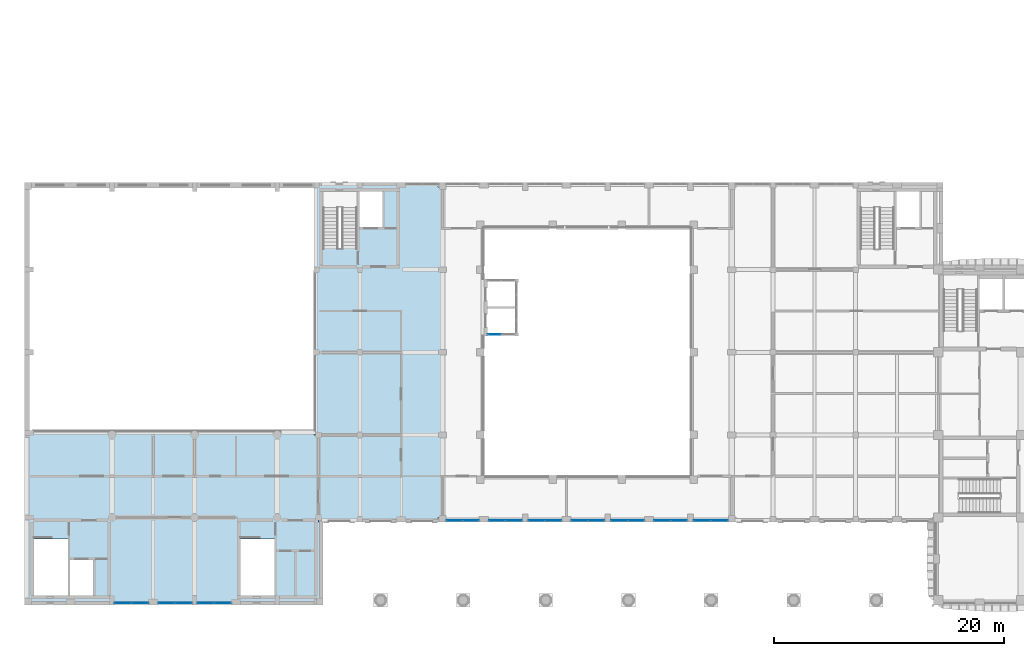
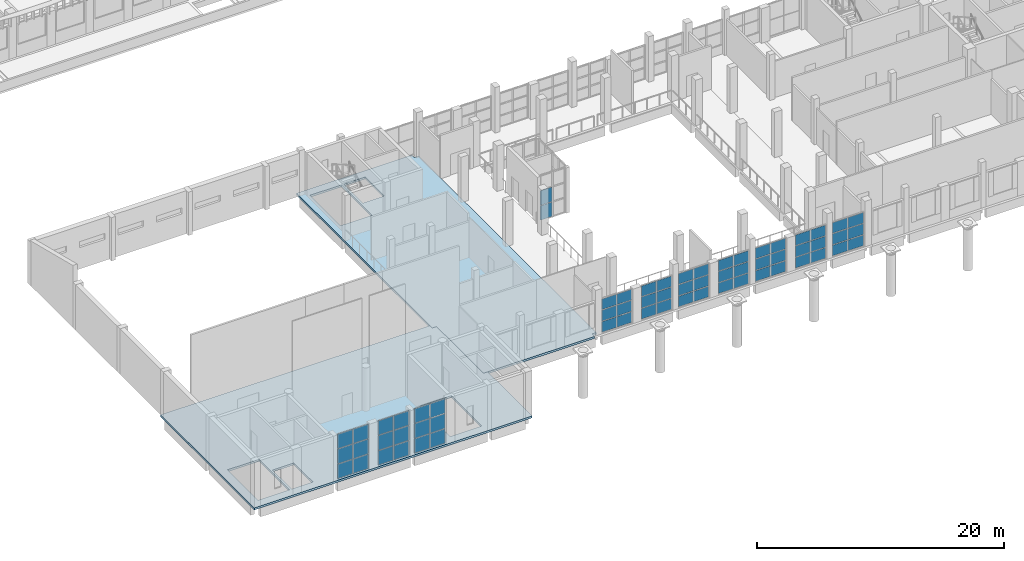
# One storey, part 14 of 59: 62 plates, 2 slabs, 11 elements without a shape of their own.
"""IFC4 building model written with IfcOpenShell, lengths in metres."""

from ifc_helpers import new_model, si_unit, direction, frame, origin, origin_2d, place, context, subcontext, project, spatial, polyline, rectangle, outline, extrude, material, layer, layer_set, type_object, element, aggregate, save


model = new_model("IFC4")

# Units and contexts
model_context = context("Model", 3, precision=1e-05, world=origin(), true_north=direction((0.0, 1.0)))
body_context = subcontext(model_context, "Body", "Model", "MODEL_VIEW")
ifc_project = project(units=[si_unit("LENGTHUNIT", "METRE"), si_unit("AREAUNIT", "SQUARE_METRE"), si_unit("VOLUMEUNIT", "CUBIC_METRE"), si_unit("PLANEANGLEUNIT", "RADIAN"), si_unit("MASSUNIT", "GRAM", prefix="KILO")], contexts=[model_context])

# Site, building, storey
site_placement = place(None, origin())
site = spatial("IfcSite", under=ifc_project, at=site_placement, CompositionType="ELEMENT")
building_placement = place(site_placement, origin())
building = spatial("IfcBuilding", under=site, at=building_placement, Name="Ussher Court Research Institute", CompositionType="ELEMENT")
storey_placement = place(building_placement, frame((0.0, 0.0, 5.39990234375)))
storey = spatial("IfcBuildingStorey", under=building, at=storey_placement, Name="L01", CompositionType="ELEMENT", Elevation=5.39990234375)

# Slabs
ifc_material_1 = material(Name="Concrete C35/45", Category="concrete")
ifc_layer_1 = layer(ifc_material_1, 0.199951171875)
ifc_layer_set_1 = layer_set([ifc_layer_1], Name="Concrete C35/45")
slab_type = type_object("IfcSlabType", Name="Floor slab 200", PredefinedType="FLOOR", material=ifc_layer_set_1)
slab_1_placement = place(storey_placement, frame((0.0, 0.0, -0.199951171875)))
element("IfcSlab", 1, at=slab_1_placement, inside=storey, type_object=slab_type, Name="FS200 V7 L01-02", PredefinedType="FLOOR", context=body_context, shape_type="SweptSolid", body=[
    extrude(outline(polyline([(38.60009765625, 40.0), (38.60009765625, 40.39990234375), (27.800048828125, 40.39990234375), (27.800048828125, 18.39990234375), (28.199951171875, 18.39990234375), (28.199951171875, 10.800048828125), (38.60009765625, 10.800048828125), (38.60009765625, 11.199951171875), (39.0, 11.199951171875), (39.0, 40.0), (38.60009765625, 40.0)]), holes=[polyline([(28.60009765625, 39.60009765625), (31.550048828125, 39.60009765625), (31.550048828125, 34.64990234375), (28.60009765625, 34.64990234375), (28.60009765625, 39.60009765625)]), polyline([(31.75, 36.5), (31.75, 39.60009765625), (33.75, 39.60009765625), (33.75, 36.5), (31.75, 36.5)])]), origin(), (0.0, 0.0, 1.0), 0.199951171875),
])
slab_2_placement = place(storey_placement, frame((0.0, 0.0, -0.199951171875)))
element("IfcSlab", 2, at=slab_2_placement, inside=storey, type_object=slab_type, Name="FS200 V1 L01-01", PredefinedType="FLOOR", context=body_context, shape_type="SweptSolid", body=[
    extrude(outline(polyline([(27.800048828125, 18.800048828125), (2.60009765625, 18.800048828125), (2.60009765625, 3.60009765625), (28.60009765625, 3.60009765625), (28.60009765625, 10.800048828125), (28.199951171875, 10.800048828125), (28.199951171875, 18.39990234375), (27.800048828125, 18.39990234375), (27.800048828125, 18.800048828125)]), holes=[polyline([(8.550048828125, 4.39990234375), (6.550048828125, 4.39990234375), (6.550048828125, 7.5), (8.550048828125, 7.5), (8.550048828125, 4.39990234375)]), polyline([(6.35009765625, 9.35009765625), (6.35009765625, 4.39990234375), (3.39990234375, 4.39990234375), (3.39990234375, 9.35009765625), (6.35009765625, 9.35009765625)]), polyline([(24.35009765625, 9.35009765625), (24.35009765625, 4.39990234375), (21.39990234375, 4.39990234375), (21.39990234375, 9.35009765625), (24.35009765625, 9.35009765625)])]), origin(), (0.0, 0.0, 1.0), 0.199951171875),
])

# Curtain wall, plates
ifc_material_2 = material(Name="Bronze anodised aluminium with low-e glass", Category="aluminium")
ifc_layer_2 = layer(ifc_material_2, 0.1201171875)
ifc_layer_set_2 = layer_set([ifc_layer_2], Name="Bronze anodised aluminium with low-e glass")
curtain_wall_type_1 = type_object("IfcCurtainWallType", Name="Curtain wall atrium clear glazing", PredefinedType="NOTDEFINED", material=ifc_layer_set_2)
curtain_wall_1_placement = place(storey_placement, origin())
curtain_wall_1 = element("IfcCurtainWall", 3, at=curtain_wall_1_placement, inside=storey, type_object=curtain_wall_type_1, Name="Curtain wall CW2 L01", PredefinedType="NOTDEFINED")
ifc_material_3 = material(Name="Double glazed unit")
ifc_layer_3 = layer(ifc_material_3, 0.028076171875)
ifc_layer_set_3 = layer_set([ifc_layer_3], Name="Double glazed unit")
plate_type_1 = type_object("IfcPlateType", Name="Glazing panel 28 mm", PredefinedType="CURTAIN_PANEL", material=ifc_layer_set_3)
plate_1_placement = place(storey_placement, frame((63.12255859375, 10.949951171875, 0.06005859375), z_axis=(0.0, 0.0, 1.0), x_axis=(-1.0, 0.0, 0.0)))
plate_1 = element("IfcPlate", 4, at=plate_1_placement, type_object=plate_type_1, Name="CW2 panel 1.1", PredefinedType="CURTAIN_PANEL", context=body_context, shape_type="SweptSolid", body=[
    extrude(rectangle(XDim=1.43505859375, YDim=0.028076171875, at=origin_2d()), origin(), (0.0, 0.0, 1.0), 1.043212890625),
])
plate_2_placement = place(storey_placement, frame((63.12255859375, 10.949951171875, 1.16357421875), z_axis=(0.0, 0.0, 1.0), x_axis=(-1.0, 0.0, 0.0)))
plate_2 = element("IfcPlate", 5, at=plate_2_placement, type_object=plate_type_1, Name="CW2 panel 1.2", PredefinedType="CURTAIN_PANEL", context=body_context, shape_type="SweptSolid", body=[
    extrude(rectangle(XDim=1.43505859375, YDim=0.028076171875, at=origin_2d()), origin(), (0.0, 0.0, 1.0), 1.073486328125),
])
plate_3_placement = place(storey_placement, frame((63.12255859375, 10.949951171875, 2.296875), z_axis=(0.0, 0.0, 1.0), x_axis=(-1.0, 0.0, 0.0)))
plate_3 = element("IfcPlate", 6, at=plate_3_placement, type_object=plate_type_1, Name="CW2 panel 1.3", PredefinedType="CURTAIN_PANEL", context=body_context, shape_type="SweptSolid", body=[
    extrude(rectangle(XDim=1.43505859375, YDim=0.028076171875, at=origin_2d()), origin(), (0.0, 0.0, 1.0), 1.043212890625),
])
plate_4_placement = place(storey_placement, frame((61.62744140625, 10.949951171875, 0.06005859375), z_axis=(0.0, 0.0, 1.0), x_axis=(-1.0, 0.0, 0.0)))
plate_4 = element("IfcPlate", 7, at=plate_4_placement, type_object=plate_type_1, Name="CW2 panel 2.1", PredefinedType="CURTAIN_PANEL", context=body_context, shape_type="SweptSolid", body=[
    extrude(rectangle(XDim=1.43505859375, YDim=0.028076171875, at=origin_2d()), origin(), (0.0, 0.0, 1.0), 1.043212890625),
])
plate_5_placement = place(storey_placement, frame((61.62744140625, 10.949951171875, 1.16357421875), z_axis=(0.0, 0.0, 1.0), x_axis=(-1.0, 0.0, 0.0)))
plate_5 = element("IfcPlate", 8, at=plate_5_placement, type_object=plate_type_1, Name="CW2 panel 2.2", PredefinedType="CURTAIN_PANEL", context=body_context, shape_type="SweptSolid", body=[
    extrude(rectangle(XDim=1.43505859375, YDim=0.028076171875, at=origin_2d()), origin(), (0.0, 0.0, 1.0), 1.073486328125),
])
plate_6_placement = place(storey_placement, frame((61.62744140625, 10.949951171875, 2.296875), z_axis=(0.0, 0.0, 1.0), x_axis=(-1.0, 0.0, 0.0)))
plate_6 = element("IfcPlate", 9, at=plate_6_placement, type_object=plate_type_1, Name="CW2 panel 2.3", PredefinedType="CURTAIN_PANEL", context=body_context, shape_type="SweptSolid", body=[
    extrude(rectangle(XDim=1.43505859375, YDim=0.028076171875, at=origin_2d()), origin(), (0.0, 0.0, 1.0), 1.043212890625),
])
aggregate(curtain_wall_1, [plate_1, plate_2, plate_3, plate_4, plate_5, plate_6])

curtain_wall_2_placement = place(storey_placement, origin())
curtain_wall_2 = element("IfcCurtainWall", 10, at=curtain_wall_2_placement, inside=storey, type_object=curtain_wall_type_1, Name="Curtain wall CW2 L01", PredefinedType="NOTDEFINED")
plate_7_placement = place(storey_placement, frame((59.597412109375, 10.949951171875, 0.06005859375), z_axis=(0.0, 0.0, 1.0), x_axis=(-1.0, 0.0, 0.0)))
plate_7 = element("IfcPlate", 11, at=plate_7_placement, type_object=plate_type_1, Name="CW2 panel 1.1", PredefinedType="CURTAIN_PANEL", context=body_context, shape_type="SweptSolid", body=[
    extrude(rectangle(XDim=1.385009765625, YDim=0.028076171875, at=origin_2d()), origin(), (0.0, 0.0, 1.0), 1.043212890625),
])
plate_8_placement = place(storey_placement, frame((59.597412109375, 10.949951171875, 1.16357421875), z_axis=(0.0, 0.0, 1.0), x_axis=(-1.0, 0.0, 0.0)))
plate_8 = element("IfcPlate", 12, at=plate_8_placement, type_object=plate_type_1, Name="CW2 panel 1.2", PredefinedType="CURTAIN_PANEL", context=body_context, shape_type="SweptSolid", body=[
    extrude(rectangle(XDim=1.385009765625, YDim=0.028076171875, at=origin_2d()), origin(), (0.0, 0.0, 1.0), 1.073486328125),
])
plate_9_placement = place(storey_placement, frame((59.597412109375, 10.949951171875, 2.296875), z_axis=(0.0, 0.0, 1.0), x_axis=(-1.0, 0.0, 0.0)))
plate_9 = element("IfcPlate", 13, at=plate_9_placement, type_object=plate_type_1, Name="CW2 panel 1.3", PredefinedType="CURTAIN_PANEL", context=body_context, shape_type="SweptSolid", body=[
    extrude(rectangle(XDim=1.385009765625, YDim=0.028076171875, at=origin_2d()), origin(), (0.0, 0.0, 1.0), 1.043212890625),
])
plate_10_placement = place(storey_placement, frame((58.152587890625, 10.949951171875, 0.06005859375), z_axis=(0.0, 0.0, 1.0), x_axis=(-1.0, 0.0, 0.0)))
plate_10 = element("IfcPlate", 14, at=plate_10_placement, type_object=plate_type_1, Name="CW2 panel 2.1", PredefinedType="CURTAIN_PANEL", context=body_context, shape_type="SweptSolid", body=[
    extrude(rectangle(XDim=1.385009765625, YDim=0.028076171875, at=origin_2d()), origin(), (0.0, 0.0, 1.0), 1.043212890625),
])
plate_11_placement = place(storey_placement, frame((58.152587890625, 10.949951171875, 1.16357421875), z_axis=(0.0, 0.0, 1.0), x_axis=(-1.0, 0.0, 0.0)))
plate_11 = element("IfcPlate", 15, at=plate_11_placement, type_object=plate_type_1, Name="CW2 panel 2.2", PredefinedType="CURTAIN_PANEL", context=body_context, shape_type="SweptSolid", body=[
    extrude(rectangle(XDim=1.385009765625, YDim=0.028076171875, at=origin_2d()), origin(), (0.0, 0.0, 1.0), 1.073486328125),
])
plate_12_placement = place(storey_placement, frame((58.152587890625, 10.949951171875, 2.296875), z_axis=(0.0, 0.0, 1.0), x_axis=(-1.0, 0.0, 0.0)))
plate_12 = element("IfcPlate", 16, at=plate_12_placement, type_object=plate_type_1, Name="CW2 panel 2.3", PredefinedType="CURTAIN_PANEL", context=body_context, shape_type="SweptSolid", body=[
    extrude(rectangle(XDim=1.385009765625, YDim=0.028076171875, at=origin_2d()), origin(), (0.0, 0.0, 1.0), 1.043212890625),
])
aggregate(curtain_wall_2, [plate_7, plate_8, plate_9, plate_10, plate_11, plate_12])

curtain_wall_3_placement = place(storey_placement, origin())
curtain_wall_3 = element("IfcCurtainWall", 17, at=curtain_wall_3_placement, inside=storey, type_object=curtain_wall_type_1, Name="Curtain wall CW2 L01", PredefinedType="NOTDEFINED")
plate_13_placement = place(storey_placement, frame((55.847412109375, 10.949951171875, 0.06005859375), z_axis=(0.0, 0.0, 1.0), x_axis=(-1.0, 0.0, 0.0)))
plate_13 = element("IfcPlate", 18, at=plate_13_placement, type_object=plate_type_1, Name="CW2 panel 1.1", PredefinedType="CURTAIN_PANEL", context=body_context, shape_type="SweptSolid", body=[
    extrude(rectangle(XDim=1.385009765625, YDim=0.028076171875, at=origin_2d()), origin(), (0.0, 0.0, 1.0), 1.043212890625),
])
plate_14_placement = place(storey_placement, frame((55.847412109375, 10.949951171875, 1.16357421875), z_axis=(0.0, 0.0, 1.0), x_axis=(-1.0, 0.0, 0.0)))
plate_14 = element("IfcPlate", 19, at=plate_14_placement, type_object=plate_type_1, Name="CW2 panel 1.2", PredefinedType="CURTAIN_PANEL", context=body_context, shape_type="SweptSolid", body=[
    extrude(rectangle(XDim=1.385009765625, YDim=0.028076171875, at=origin_2d()), origin(), (0.0, 0.0, 1.0), 1.073486328125),
])
plate_15_placement = place(storey_placement, frame((55.847412109375, 10.949951171875, 2.296875), z_axis=(0.0, 0.0, 1.0), x_axis=(-1.0, 0.0, 0.0)))
plate_15 = element("IfcPlate", 20, at=plate_15_placement, type_object=plate_type_1, Name="CW2 panel 1.3", PredefinedType="CURTAIN_PANEL", context=body_context, shape_type="SweptSolid", body=[
    extrude(rectangle(XDim=1.385009765625, YDim=0.028076171875, at=origin_2d()), origin(), (0.0, 0.0, 1.0), 1.043212890625),
])
plate_16_placement = place(storey_placement, frame((54.402587890625, 10.949951171875, 0.06005859375), z_axis=(0.0, 0.0, 1.0), x_axis=(-1.0, 0.0, 0.0)))
plate_16 = element("IfcPlate", 21, at=plate_16_placement, type_object=plate_type_1, Name="CW2 panel 2.1", PredefinedType="CURTAIN_PANEL", context=body_context, shape_type="SweptSolid", body=[
    extrude(rectangle(XDim=1.385009765625, YDim=0.028076171875, at=origin_2d()), origin(), (0.0, 0.0, 1.0), 1.043212890625),
])
plate_17_placement = place(storey_placement, frame((54.402587890625, 10.949951171875, 1.16357421875), z_axis=(0.0, 0.0, 1.0), x_axis=(-1.0, 0.0, 0.0)))
plate_17 = element("IfcPlate", 22, at=plate_17_placement, type_object=plate_type_1, Name="CW2 panel 2.2", PredefinedType="CURTAIN_PANEL", context=body_context, shape_type="SweptSolid", body=[
    extrude(rectangle(XDim=1.385009765625, YDim=0.028076171875, at=origin_2d()), origin(), (0.0, 0.0, 1.0), 1.073486328125),
])
plate_18_placement = place(storey_placement, frame((54.402587890625, 10.949951171875, 2.296875), z_axis=(0.0, 0.0, 1.0), x_axis=(-1.0, 0.0, 0.0)))
plate_18 = element("IfcPlate", 23, at=plate_18_placement, type_object=plate_type_1, Name="CW2 panel 2.3", PredefinedType="CURTAIN_PANEL", context=body_context, shape_type="SweptSolid", body=[
    extrude(rectangle(XDim=1.385009765625, YDim=0.028076171875, at=origin_2d()), origin(), (0.0, 0.0, 1.0), 1.043212890625),
])
aggregate(curtain_wall_3, [plate_13, plate_14, plate_15, plate_16, plate_17, plate_18])

curtain_wall_4_placement = place(storey_placement, origin())
curtain_wall_4 = element("IfcCurtainWall", 24, at=curtain_wall_4_placement, inside=storey, type_object=curtain_wall_type_1, Name="Curtain wall CW2 L01", PredefinedType="NOTDEFINED")
plate_19_placement = place(storey_placement, frame((52.3974609375, 10.949951171875, 0.06005859375), z_axis=(0.0, 0.0, 1.0), x_axis=(-1.0, 0.0, 0.0)))
plate_19 = element("IfcPlate", 25, at=plate_19_placement, type_object=plate_type_1, Name="CW2 panel 1.1", PredefinedType="CURTAIN_PANEL", context=body_context, shape_type="SweptSolid", body=[
    extrude(rectangle(XDim=1.385009765625, YDim=0.028076171875, at=origin_2d()), origin(), (0.0, 0.0, 1.0), 1.043212890625),
])
plate_20_placement = place(storey_placement, frame((52.3974609375, 10.949951171875, 1.16357421875), z_axis=(0.0, 0.0, 1.0), x_axis=(-1.0, 0.0, 0.0)))
plate_20 = element("IfcPlate", 26, at=plate_20_placement, type_object=plate_type_1, Name="CW2 panel 1.2", PredefinedType="CURTAIN_PANEL", context=body_context, shape_type="SweptSolid", body=[
    extrude(rectangle(XDim=1.385009765625, YDim=0.028076171875, at=origin_2d()), origin(), (0.0, 0.0, 1.0), 1.073486328125),
])
plate_21_placement = place(storey_placement, frame((52.3974609375, 10.949951171875, 2.296875), z_axis=(0.0, 0.0, 1.0), x_axis=(-1.0, 0.0, 0.0)))
plate_21 = element("IfcPlate", 27, at=plate_21_placement, type_object=plate_type_1, Name="CW2 panel 1.3", PredefinedType="CURTAIN_PANEL", context=body_context, shape_type="SweptSolid", body=[
    extrude(rectangle(XDim=1.385009765625, YDim=0.028076171875, at=origin_2d()), origin(), (0.0, 0.0, 1.0), 1.043212890625),
])
plate_22_placement = place(storey_placement, frame((50.952392578125, 10.949951171875, 0.06005859375), z_axis=(0.0, 0.0, 1.0), x_axis=(-1.0, 0.0, 0.0)))
plate_22 = element("IfcPlate", 28, at=plate_22_placement, type_object=plate_type_1, Name="CW2 panel 2.1", PredefinedType="CURTAIN_PANEL", context=body_context, shape_type="SweptSolid", body=[
    extrude(rectangle(XDim=1.385009765625, YDim=0.028076171875, at=origin_2d()), origin(), (0.0, 0.0, 1.0), 1.043212890625),
])
plate_23_placement = place(storey_placement, frame((50.952392578125, 10.949951171875, 1.16357421875), z_axis=(0.0, 0.0, 1.0), x_axis=(-1.0, 0.0, 0.0)))
plate_23 = element("IfcPlate", 29, at=plate_23_placement, type_object=plate_type_1, Name="CW2 panel 2.2", PredefinedType="CURTAIN_PANEL", context=body_context, shape_type="SweptSolid", body=[
    extrude(rectangle(XDim=1.385009765625, YDim=0.028076171875, at=origin_2d()), origin(), (0.0, 0.0, 1.0), 1.073486328125),
])
plate_24_placement = place(storey_placement, frame((50.952392578125, 10.949951171875, 2.296875), z_axis=(0.0, 0.0, 1.0), x_axis=(-1.0, 0.0, 0.0)))
plate_24 = element("IfcPlate", 30, at=plate_24_placement, type_object=plate_type_1, Name="CW2 panel 2.3", PredefinedType="CURTAIN_PANEL", context=body_context, shape_type="SweptSolid", body=[
    extrude(rectangle(XDim=1.385009765625, YDim=0.028076171875, at=origin_2d()), origin(), (0.0, 0.0, 1.0), 1.043212890625),
])
aggregate(curtain_wall_4, [plate_19, plate_20, plate_21, plate_22, plate_23, plate_24])

curtain_wall_5_placement = place(storey_placement, origin())
curtain_wall_5 = element("IfcCurtainWall", 31, at=curtain_wall_5_placement, inside=storey, type_object=curtain_wall_type_1, Name="Curtain wall CW2 L01", PredefinedType="NOTDEFINED")
plate_25_placement = place(storey_placement, frame((48.6474609375, 10.949951171875, 0.06005859375), z_axis=(0.0, 0.0, 1.0), x_axis=(-1.0, 0.0, 0.0)))
plate_25 = element("IfcPlate", 32, at=plate_25_placement, type_object=plate_type_1, Name="CW2 panel 1.1", PredefinedType="CURTAIN_PANEL", context=body_context, shape_type="SweptSolid", body=[
    extrude(rectangle(XDim=1.385009765625, YDim=0.028076171875, at=origin_2d()), origin(), (0.0, 0.0, 1.0), 1.043212890625),
])
plate_26_placement = place(storey_placement, frame((48.6474609375, 10.949951171875, 1.16357421875), z_axis=(0.0, 0.0, 1.0), x_axis=(-1.0, 0.0, 0.0)))
plate_26 = element("IfcPlate", 33, at=plate_26_placement, type_object=plate_type_1, Name="CW2 panel 1.2", PredefinedType="CURTAIN_PANEL", context=body_context, shape_type="SweptSolid", body=[
    extrude(rectangle(XDim=1.385009765625, YDim=0.028076171875, at=origin_2d()), origin(), (0.0, 0.0, 1.0), 1.073486328125),
])
plate_27_placement = place(storey_placement, frame((48.6474609375, 10.949951171875, 2.296875), z_axis=(0.0, 0.0, 1.0), x_axis=(-1.0, 0.0, 0.0)))
plate_27 = element("IfcPlate", 34, at=plate_27_placement, type_object=plate_type_1, Name="CW2 panel 1.3", PredefinedType="CURTAIN_PANEL", context=body_context, shape_type="SweptSolid", body=[
    extrude(rectangle(XDim=1.385009765625, YDim=0.028076171875, at=origin_2d()), origin(), (0.0, 0.0, 1.0), 1.043212890625),
])
plate_28_placement = place(storey_placement, frame((47.202392578125, 10.949951171875, 0.06005859375), z_axis=(0.0, 0.0, 1.0), x_axis=(-1.0, 0.0, 0.0)))
plate_28 = element("IfcPlate", 35, at=plate_28_placement, type_object=plate_type_1, Name="CW2 panel 2.1", PredefinedType="CURTAIN_PANEL", context=body_context, shape_type="SweptSolid", body=[
    extrude(rectangle(XDim=1.385009765625, YDim=0.028076171875, at=origin_2d()), origin(), (0.0, 0.0, 1.0), 1.043212890625),
])
plate_29_placement = place(storey_placement, frame((47.202392578125, 10.949951171875, 1.16357421875), z_axis=(0.0, 0.0, 1.0), x_axis=(-1.0, 0.0, 0.0)))
plate_29 = element("IfcPlate", 36, at=plate_29_placement, type_object=plate_type_1, Name="CW2 panel 2.2", PredefinedType="CURTAIN_PANEL", context=body_context, shape_type="SweptSolid", body=[
    extrude(rectangle(XDim=1.385009765625, YDim=0.028076171875, at=origin_2d()), origin(), (0.0, 0.0, 1.0), 1.073486328125),
])
plate_30_placement = place(storey_placement, frame((47.202392578125, 10.949951171875, 2.296875), z_axis=(0.0, 0.0, 1.0), x_axis=(-1.0, 0.0, 0.0)))
plate_30 = element("IfcPlate", 37, at=plate_30_placement, type_object=plate_type_1, Name="CW2 panel 2.3", PredefinedType="CURTAIN_PANEL", context=body_context, shape_type="SweptSolid", body=[
    extrude(rectangle(XDim=1.385009765625, YDim=0.028076171875, at=origin_2d()), origin(), (0.0, 0.0, 1.0), 1.043212890625),
])
aggregate(curtain_wall_5, [plate_25, plate_26, plate_27, plate_28, plate_29, plate_30])

curtain_wall_6_placement = place(storey_placement, origin())
curtain_wall_6 = element("IfcCurtainWall", 38, at=curtain_wall_6_placement, inside=storey, type_object=curtain_wall_type_1, Name="Curtain wall CW2 L01", PredefinedType="NOTDEFINED")
plate_31_placement = place(storey_placement, frame((45.197509765625, 10.949951171875, 0.06005859375), z_axis=(0.0, 0.0, 1.0), x_axis=(-1.0, 0.0, 0.0)))
plate_31 = element("IfcPlate", 39, at=plate_31_placement, type_object=plate_type_1, Name="CW2 panel 1.1", PredefinedType="CURTAIN_PANEL", context=body_context, shape_type="SweptSolid", body=[
    extrude(rectangle(XDim=1.385009765625, YDim=0.028076171875, at=origin_2d()), origin(), (0.0, 0.0, 1.0), 1.043212890625),
])
plate_32_placement = place(storey_placement, frame((45.197509765625, 10.949951171875, 1.16357421875), z_axis=(0.0, 0.0, 1.0), x_axis=(-1.0, 0.0, 0.0)))
plate_32 = element("IfcPlate", 40, at=plate_32_placement, type_object=plate_type_1, Name="CW2 panel 1.2", PredefinedType="CURTAIN_PANEL", context=body_context, shape_type="SweptSolid", body=[
    extrude(rectangle(XDim=1.385009765625, YDim=0.028076171875, at=origin_2d()), origin(), (0.0, 0.0, 1.0), 1.073486328125),
])
plate_33_placement = place(storey_placement, frame((45.197509765625, 10.949951171875, 2.296875), z_axis=(0.0, 0.0, 1.0), x_axis=(-1.0, 0.0, 0.0)))
plate_33 = element("IfcPlate", 41, at=plate_33_placement, type_object=plate_type_1, Name="CW2 panel 1.3", PredefinedType="CURTAIN_PANEL", context=body_context, shape_type="SweptSolid", body=[
    extrude(rectangle(XDim=1.385009765625, YDim=0.028076171875, at=origin_2d()), origin(), (0.0, 0.0, 1.0), 1.043212890625),
])
plate_34_placement = place(storey_placement, frame((43.75244140625, 10.949951171875, 0.06005859375), z_axis=(0.0, 0.0, 1.0), x_axis=(-1.0, 0.0, 0.0)))
plate_34 = element("IfcPlate", 42, at=plate_34_placement, type_object=plate_type_1, Name="CW2 panel 2.1", PredefinedType="CURTAIN_PANEL", context=body_context, shape_type="SweptSolid", body=[
    extrude(rectangle(XDim=1.385009765625, YDim=0.028076171875, at=origin_2d()), origin(), (0.0, 0.0, 1.0), 1.043212890625),
])
plate_35_placement = place(storey_placement, frame((43.75244140625, 10.949951171875, 1.16357421875), z_axis=(0.0, 0.0, 1.0), x_axis=(-1.0, 0.0, 0.0)))
plate_35 = element("IfcPlate", 43, at=plate_35_placement, type_object=plate_type_1, Name="CW2 panel 2.2", PredefinedType="CURTAIN_PANEL", context=body_context, shape_type="SweptSolid", body=[
    extrude(rectangle(XDim=1.385009765625, YDim=0.028076171875, at=origin_2d()), origin(), (0.0, 0.0, 1.0), 1.073486328125),
])
plate_36_placement = place(storey_placement, frame((43.75244140625, 10.949951171875, 2.296875), z_axis=(0.0, 0.0, 1.0), x_axis=(-1.0, 0.0, 0.0)))
plate_36 = element("IfcPlate", 44, at=plate_36_placement, type_object=plate_type_1, Name="CW2 panel 2.3", PredefinedType="CURTAIN_PANEL", context=body_context, shape_type="SweptSolid", body=[
    extrude(rectangle(XDim=1.385009765625, YDim=0.028076171875, at=origin_2d()), origin(), (0.0, 0.0, 1.0), 1.043212890625),
])
aggregate(curtain_wall_6, [plate_31, plate_32, plate_33, plate_34, plate_35, plate_36])

curtain_wall_7_placement = place(storey_placement, origin())
curtain_wall_7 = element("IfcCurtainWall", 45, at=curtain_wall_7_placement, inside=storey, type_object=curtain_wall_type_1, Name="Curtain wall CW2 L01", PredefinedType="NOTDEFINED")
plate_37_placement = place(storey_placement, frame((41.4599609375, 10.949951171875, 0.06005859375), z_axis=(0.0, 0.0, 1.0), x_axis=(-1.0, 0.0, 0.0)))
plate_37 = element("IfcPlate", 46, at=plate_37_placement, type_object=plate_type_1, Name="CW2 panel 1.1", PredefinedType="CURTAIN_PANEL", context=body_context, shape_type="SweptSolid", body=[
    extrude(rectangle(XDim=1.360107421875, YDim=0.028076171875, at=origin_2d()), origin(), (0.0, 0.0, 1.0), 1.043212890625),
])
plate_38_placement = place(storey_placement, frame((41.4599609375, 10.949951171875, 1.16357421875), z_axis=(0.0, 0.0, 1.0), x_axis=(-1.0, 0.0, 0.0)))
plate_38 = element("IfcPlate", 47, at=plate_38_placement, type_object=plate_type_1, Name="CW2 panel 1.2", PredefinedType="CURTAIN_PANEL", context=body_context, shape_type="SweptSolid", body=[
    extrude(rectangle(XDim=1.360107421875, YDim=0.028076171875, at=origin_2d()), origin(), (0.0, 0.0, 1.0), 1.073486328125),
])
plate_39_placement = place(storey_placement, frame((41.4599609375, 10.949951171875, 2.296875), z_axis=(0.0, 0.0, 1.0), x_axis=(-1.0, 0.0, 0.0)))
plate_39 = element("IfcPlate", 48, at=plate_39_placement, type_object=plate_type_1, Name="CW2 panel 1.3", PredefinedType="CURTAIN_PANEL", context=body_context, shape_type="SweptSolid", body=[
    extrude(rectangle(XDim=1.360107421875, YDim=0.028076171875, at=origin_2d()), origin(), (0.0, 0.0, 1.0), 1.043212890625),
])
plate_40_placement = place(storey_placement, frame((40.0400390625, 10.949951171875, 0.06005859375), z_axis=(0.0, 0.0, 1.0), x_axis=(-1.0, 0.0, 0.0)))
plate_40 = element("IfcPlate", 49, at=plate_40_placement, type_object=plate_type_1, Name="CW2 panel 2.1", PredefinedType="CURTAIN_PANEL", context=body_context, shape_type="SweptSolid", body=[
    extrude(rectangle(XDim=1.360107421875, YDim=0.028076171875, at=origin_2d()), origin(), (0.0, 0.0, 1.0), 1.043212890625),
])
plate_41_placement = place(storey_placement, frame((40.0400390625, 10.949951171875, 1.16357421875), z_axis=(0.0, 0.0, 1.0), x_axis=(-1.0, 0.0, 0.0)))
plate_41 = element("IfcPlate", 50, at=plate_41_placement, type_object=plate_type_1, Name="CW2 panel 2.2", PredefinedType="CURTAIN_PANEL", context=body_context, shape_type="SweptSolid", body=[
    extrude(rectangle(XDim=1.360107421875, YDim=0.028076171875, at=origin_2d()), origin(), (0.0, 0.0, 1.0), 1.073486328125),
])
plate_42_placement = place(storey_placement, frame((40.0400390625, 10.949951171875, 2.296875), z_axis=(0.0, 0.0, 1.0), x_axis=(-1.0, 0.0, 0.0)))
plate_42 = element("IfcPlate", 51, at=plate_42_placement, type_object=plate_type_1, Name="CW2 panel 2.3", PredefinedType="CURTAIN_PANEL", context=body_context, shape_type="SweptSolid", body=[
    extrude(rectangle(XDim=1.360107421875, YDim=0.028076171875, at=origin_2d()), origin(), (0.0, 0.0, 1.0), 1.043212890625),
])
aggregate(curtain_wall_7, [plate_37, plate_38, plate_39, plate_40, plate_41, plate_42])

curtain_wall_8_placement = place(storey_placement, origin())
curtain_wall_8 = element("IfcCurtainWall", 52, at=curtain_wall_8_placement, inside=storey, type_object=curtain_wall_type_1, Name="Curtain wall CW2 lift shaft L01", PredefinedType="NOTDEFINED")
plate_43_placement = place(storey_placement, frame((43.514892578125, 27.14990234375, 0.06005859375), z_axis=(0.0, 0.0, 1.0), x_axis=(1.0, 0.0, 0.0)))
plate_43 = element("IfcPlate", 53, at=plate_43_placement, type_object=plate_type_1, Name="CW2 panel 1.1", PredefinedType="CURTAIN_PANEL", context=body_context, shape_type="SweptSolid", body=[
    extrude(rectangle(XDim=1.110107421875, YDim=0.028076171875, at=origin_2d()), origin(), (0.0, 0.0, 1.0), 1.409912109375),
])
plate_44_placement = place(storey_placement, frame((43.514892578125, 27.14990234375, 1.530029296875), z_axis=(0.0, 0.0, 1.0), x_axis=(1.0, 0.0, 0.0)))
plate_44 = element("IfcPlate", 54, at=plate_44_placement, type_object=plate_type_1, Name="CW2 panel 1.2", PredefinedType="CURTAIN_PANEL", context=body_context, shape_type="SweptSolid", body=[
    extrude(rectangle(XDim=1.110107421875, YDim=0.028076171875, at=origin_2d()), origin(), (0.0, 0.0, 1.0), 1.43994140625),
])
aggregate(curtain_wall_8, [plate_43, plate_44])

ifc_material_4 = material(Name="Bronze anodised aluminium with low-e glass", Category="aluminium")
ifc_layer_4 = layer(ifc_material_4, 0.159912109375)
ifc_layer_set_4 = layer_set([ifc_layer_4], Name="Bronze anodised aluminium with low-e glass")
curtain_wall_type_2 = type_object("IfcCurtainWallType", Name="Curtain wall lecture theatre gable glazing", PredefinedType="NOTDEFINED", material=ifc_layer_set_4)
curtain_wall_9_placement = place(storey_placement, origin())
curtain_wall_9 = element("IfcCurtainWall", 55, at=curtain_wall_9_placement, inside=storey, type_object=curtain_wall_type_2, Name="Curtain wall CW5 L01", PredefinedType="NOTDEFINED")
ifc_material_5 = material(Name="Double glazed unit laminated")
ifc_layer_5 = layer(ifc_material_5, 0.035888671875)
ifc_layer_set_5 = layer_set([ifc_layer_5], Name="Double glazed unit laminated")
plate_type_2 = type_object("IfcPlateType", Name="Glazing panel 36 mm", PredefinedType="CURTAIN_PANEL", material=ifc_layer_set_5)
plate_45_placement = place(storey_placement, frame((19.8349609375, 3.75, 0.06005859375), z_axis=(0.0, 0.0, 1.0), x_axis=(-1.0, 0.0, 0.0)))
plate_45 = element("IfcPlate", 56, at=plate_45_placement, type_object=plate_type_2, Name="CW5 panel 1.1", PredefinedType="CURTAIN_PANEL", context=body_context, shape_type="SweptSolid", body=[
    extrude(rectangle(XDim=1.409912109375, YDim=0.035888671875, at=origin_2d()), origin(), (0.0, 0.0, 1.0), 1.409912109375),
])
plate_46_placement = place(storey_placement, frame((19.8349609375, 3.75, 1.530029296875), z_axis=(0.0, 0.0, 1.0), x_axis=(-1.0, 0.0, 0.0)))
plate_46 = element("IfcPlate", 57, at=plate_46_placement, type_object=plate_type_2, Name="CW5 panel 1.2", PredefinedType="CURTAIN_PANEL", context=body_context, shape_type="SweptSolid", body=[
    extrude(rectangle(XDim=1.409912109375, YDim=0.035888671875, at=origin_2d()), origin(), (0.0, 0.0, 1.0), 1.43994140625),
])
plate_47_placement = place(storey_placement, frame((19.8349609375, 3.75, 3.0302734375), z_axis=(0.0, 0.0, 1.0), x_axis=(-1.0, 0.0, 0.0)))
plate_47 = element("IfcPlate", 58, at=plate_47_placement, type_object=plate_type_2, Name="CW5 panel 1.3", PredefinedType="CURTAIN_PANEL", context=body_context, shape_type="SweptSolid", body=[
    extrude(rectangle(XDim=1.409912109375, YDim=0.035888671875, at=origin_2d()), origin(), (0.0, 0.0, 1.0), 1.409912109375),
])
plate_48_placement = place(storey_placement, frame((18.364990234375, 3.75, 0.06005859375), z_axis=(0.0, 0.0, 1.0), x_axis=(-1.0, 0.0, 0.0)))
plate_48 = element("IfcPlate", 59, at=plate_48_placement, type_object=plate_type_2, Name="CW5 panel 2.1", PredefinedType="CURTAIN_PANEL", context=body_context, shape_type="SweptSolid", body=[
    extrude(rectangle(XDim=1.409912109375, YDim=0.035888671875, at=origin_2d()), origin(), (0.0, 0.0, 1.0), 1.409912109375),
])
plate_49_placement = place(storey_placement, frame((18.364990234375, 3.75, 1.530029296875), z_axis=(0.0, 0.0, 1.0), x_axis=(-1.0, 0.0, 0.0)))
plate_49 = element("IfcPlate", 60, at=plate_49_placement, type_object=plate_type_2, Name="CW5 panel 2.2", PredefinedType="CURTAIN_PANEL", context=body_context, shape_type="SweptSolid", body=[
    extrude(rectangle(XDim=1.409912109375, YDim=0.035888671875, at=origin_2d()), origin(), (0.0, 0.0, 1.0), 1.43994140625),
])
plate_50_placement = place(storey_placement, frame((18.364990234375, 3.75, 3.0302734375), z_axis=(0.0, 0.0, 1.0), x_axis=(-1.0, 0.0, 0.0)))
plate_50 = element("IfcPlate", 61, at=plate_50_placement, type_object=plate_type_2, Name="CW5 panel 2.3", PredefinedType="CURTAIN_PANEL", context=body_context, shape_type="SweptSolid", body=[
    extrude(rectangle(XDim=1.409912109375, YDim=0.035888671875, at=origin_2d()), origin(), (0.0, 0.0, 1.0), 1.409912109375),
])
aggregate(curtain_wall_9, [plate_45, plate_46, plate_47, plate_48, plate_49, plate_50])

curtain_wall_10_placement = place(storey_placement, origin())
curtain_wall_10 = element("IfcCurtainWall", 62, at=curtain_wall_10_placement, inside=storey, type_object=curtain_wall_type_2, Name="Curtain wall CW5 L01", PredefinedType="NOTDEFINED")
plate_51_placement = place(storey_placement, frame((16.43505859375, 3.75, 0.06005859375), z_axis=(0.0, 0.0, 1.0), x_axis=(-1.0, 0.0, 0.0)))
plate_51 = element("IfcPlate", 63, at=plate_51_placement, type_object=plate_type_2, Name="CW5 panel 1.1", PredefinedType="CURTAIN_PANEL", context=body_context, shape_type="SweptSolid", body=[
    extrude(rectangle(XDim=1.409912109375, YDim=0.035888671875, at=origin_2d()), origin(), (0.0, 0.0, 1.0), 1.409912109375),
])
plate_52_placement = place(storey_placement, frame((16.43505859375, 3.75, 1.530029296875), z_axis=(0.0, 0.0, 1.0), x_axis=(-1.0, 0.0, 0.0)))
plate_52 = element("IfcPlate", 64, at=plate_52_placement, type_object=plate_type_2, Name="CW5 panel 1.2", PredefinedType="CURTAIN_PANEL", context=body_context, shape_type="SweptSolid", body=[
    extrude(rectangle(XDim=1.409912109375, YDim=0.035888671875, at=origin_2d()), origin(), (0.0, 0.0, 1.0), 1.43994140625),
])
plate_53_placement = place(storey_placement, frame((16.43505859375, 3.75, 3.0302734375), z_axis=(0.0, 0.0, 1.0), x_axis=(-1.0, 0.0, 0.0)))
plate_53 = element("IfcPlate", 65, at=plate_53_placement, type_object=plate_type_2, Name="CW5 panel 1.3", PredefinedType="CURTAIN_PANEL", context=body_context, shape_type="SweptSolid", body=[
    extrude(rectangle(XDim=1.409912109375, YDim=0.035888671875, at=origin_2d()), origin(), (0.0, 0.0, 1.0), 1.409912109375),
])
plate_54_placement = place(storey_placement, frame((14.965087890625, 3.75, 0.06005859375), z_axis=(0.0, 0.0, 1.0), x_axis=(-1.0, 0.0, 0.0)))
plate_54 = element("IfcPlate", 66, at=plate_54_placement, type_object=plate_type_2, Name="CW5 panel 2.1", PredefinedType="CURTAIN_PANEL", context=body_context, shape_type="SweptSolid", body=[
    extrude(rectangle(XDim=1.409912109375, YDim=0.035888671875, at=origin_2d()), origin(), (0.0, 0.0, 1.0), 1.409912109375),
])
plate_55_placement = place(storey_placement, frame((14.965087890625, 3.75, 1.530029296875), z_axis=(0.0, 0.0, 1.0), x_axis=(-1.0, 0.0, 0.0)))
plate_55 = element("IfcPlate", 67, at=plate_55_placement, type_object=plate_type_2, Name="CW5 panel 2.2", PredefinedType="CURTAIN_PANEL", context=body_context, shape_type="SweptSolid", body=[
    extrude(rectangle(XDim=1.409912109375, YDim=0.035888671875, at=origin_2d()), origin(), (0.0, 0.0, 1.0), 1.43994140625),
])
plate_56_placement = place(storey_placement, frame((14.965087890625, 3.75, 3.0302734375), z_axis=(0.0, 0.0, 1.0), x_axis=(-1.0, 0.0, 0.0)))
plate_56 = element("IfcPlate", 68, at=plate_56_placement, type_object=plate_type_2, Name="CW5 panel 2.3", PredefinedType="CURTAIN_PANEL", context=body_context, shape_type="SweptSolid", body=[
    extrude(rectangle(XDim=1.409912109375, YDim=0.035888671875, at=origin_2d()), origin(), (0.0, 0.0, 1.0), 1.409912109375),
])
aggregate(curtain_wall_10, [plate_51, plate_52, plate_53, plate_54, plate_55, plate_56])

curtain_wall_11_placement = place(storey_placement, origin())
curtain_wall_11 = element("IfcCurtainWall", 69, at=curtain_wall_11_placement, inside=storey, type_object=curtain_wall_type_2, Name="Curtain wall CW5 L01", PredefinedType="NOTDEFINED")
plate_57_placement = place(storey_placement, frame((12.635009765625, 3.75, 0.06005859375), z_axis=(0.0, 0.0, 1.0), x_axis=(-1.0, 0.0, 0.0)))
plate_57 = element("IfcPlate", 70, at=plate_57_placement, type_object=plate_type_2, Name="CW5 panel 1.1", PredefinedType="CURTAIN_PANEL", context=body_context, shape_type="SweptSolid", body=[
    extrude(rectangle(XDim=1.409912109375, YDim=0.035888671875, at=origin_2d()), origin(), (0.0, 0.0, 1.0), 1.409912109375),
])
plate_58_placement = place(storey_placement, frame((12.635009765625, 3.75, 1.530029296875), z_axis=(0.0, 0.0, 1.0), x_axis=(-1.0, 0.0, 0.0)))
plate_58 = element("IfcPlate", 71, at=plate_58_placement, type_object=plate_type_2, Name="CW5 panel 1.2", PredefinedType="CURTAIN_PANEL", context=body_context, shape_type="SweptSolid", body=[
    extrude(rectangle(XDim=1.409912109375, YDim=0.035888671875, at=origin_2d()), origin(), (0.0, 0.0, 1.0), 1.43994140625),
])
plate_59_placement = place(storey_placement, frame((12.635009765625, 3.75, 3.0302734375), z_axis=(0.0, 0.0, 1.0), x_axis=(-1.0, 0.0, 0.0)))
plate_59 = element("IfcPlate", 72, at=plate_59_placement, type_object=plate_type_2, Name="CW5 panel 1.3", PredefinedType="CURTAIN_PANEL", context=body_context, shape_type="SweptSolid", body=[
    extrude(rectangle(XDim=1.409912109375, YDim=0.035888671875, at=origin_2d()), origin(), (0.0, 0.0, 1.0), 1.409912109375),
])
plate_60_placement = place(storey_placement, frame((11.1650390625, 3.75, 0.06005859375), z_axis=(0.0, 0.0, 1.0), x_axis=(-1.0, 0.0, 0.0)))
plate_60 = element("IfcPlate", 73, at=plate_60_placement, type_object=plate_type_2, Name="CW5 panel 2.1", PredefinedType="CURTAIN_PANEL", context=body_context, shape_type="SweptSolid", body=[
    extrude(rectangle(XDim=1.409912109375, YDim=0.035888671875, at=origin_2d()), origin(), (0.0, 0.0, 1.0), 1.409912109375),
])
plate_61_placement = place(storey_placement, frame((11.1650390625, 3.75, 1.530029296875), z_axis=(0.0, 0.0, 1.0), x_axis=(-1.0, 0.0, 0.0)))
plate_61 = element("IfcPlate", 74, at=plate_61_placement, type_object=plate_type_2, Name="CW5 panel 2.2", PredefinedType="CURTAIN_PANEL", context=body_context, shape_type="SweptSolid", body=[
    extrude(rectangle(XDim=1.409912109375, YDim=0.035888671875, at=origin_2d()), origin(), (0.0, 0.0, 1.0), 1.43994140625),
])
plate_62_placement = place(storey_placement, frame((11.1650390625, 3.75, 3.0302734375), z_axis=(0.0, 0.0, 1.0), x_axis=(-1.0, 0.0, 0.0)))
plate_62 = element("IfcPlate", 75, at=plate_62_placement, type_object=plate_type_2, Name="CW5 panel 2.3", PredefinedType="CURTAIN_PANEL", context=body_context, shape_type="SweptSolid", body=[
    extrude(rectangle(XDim=1.409912109375, YDim=0.035888671875, at=origin_2d()), origin(), (0.0, 0.0, 1.0), 1.409912109375),
])
aggregate(curtain_wall_11, [plate_57, plate_58, plate_59, plate_60, plate_61, plate_62])

save(model, "model.ifc")
